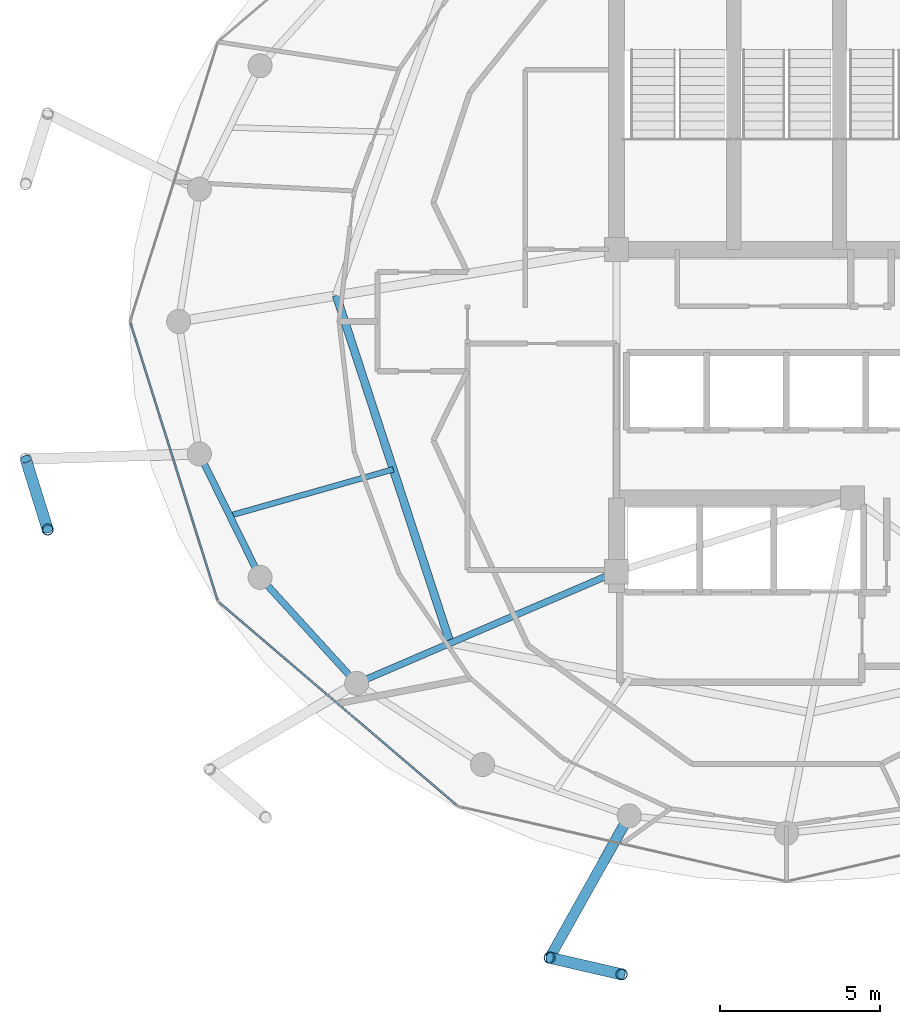
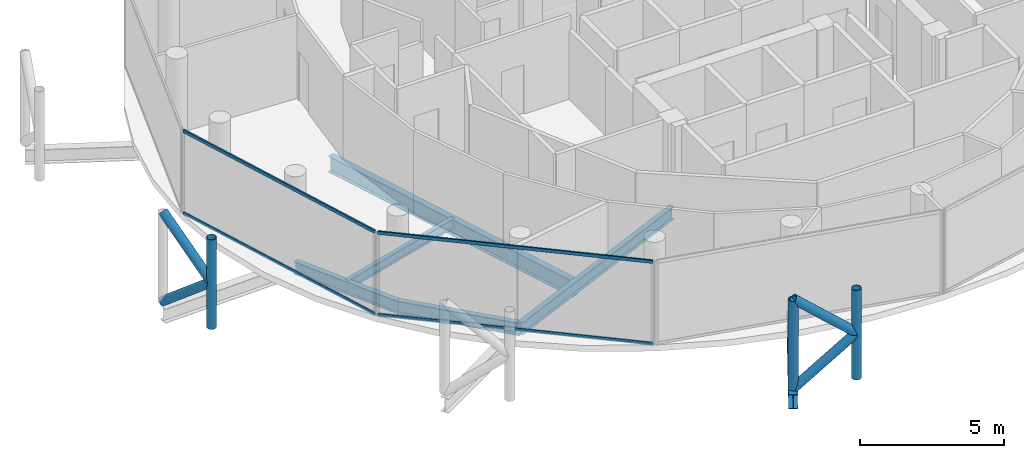
# One storey, part 3 of 24: 11 members, 6 beams, 2 elements without a shape of their own.
"""IFC4 building model written with IfcOpenShell, lengths in metres."""

from ifc_helpers import new_model, si_unit, direction, frame, origin, origin_2d, place, context, subcontext, project, spatial, hollow_rectangle, hollow_circle, i_section, extrude, material, layer, layer_set, material_profile, profile_set, type_object, element, aggregate, save


model = new_model("IFC4")

# Units and contexts
model_context = context("Model", 3, precision=1e-05, world=origin(), true_north=direction((0.0, 1.0)))
body_context = subcontext(model_context, "Body", "Model", "MODEL_VIEW")
ifc_project = project(units=[si_unit("LENGTHUNIT", "METRE"), si_unit("AREAUNIT", "SQUARE_METRE"), si_unit("VOLUMEUNIT", "CUBIC_METRE"), si_unit("PLANEANGLEUNIT", "RADIAN"), si_unit("MASSUNIT", "GRAM", prefix="KILO")], contexts=[model_context])

# Site, building, storey
site_placement = place(None, origin())
site = spatial("IfcSite", under=ifc_project, at=site_placement, CompositionType="ELEMENT")
building_placement = place(site_placement, origin())
building = spatial("IfcBuilding", under=site, at=building_placement, Name="Nuhasar Tower", CompositionType="ELEMENT")
storey_placement = place(building_placement, frame((0.0, 0.0, 286.0)))
storey = spatial("IfcBuildingStorey", under=building, at=storey_placement, Name="L71", CompositionType="ELEMENT", Elevation=286.0)

# Beams
ifc_material_1 = material(Name="Steel S355", Category="steel")
ifc_material_profile_1 = material_profile(ifc_material_1, i_section(OverallWidth=0.25390625, OverallDepth=0.68408203125, WebThickness=0.012451171875, FlangeThickness=0.018798828125, at=origin_2d()), Name="W27X94")
ifc_profile_set_1 = profile_set([ifc_material_profile_1], Name="Steel S355")
beam_type_1 = type_object("IfcBeamType", Name="BM-INRING-W27X94", PredefinedType="BEAM", material=ifc_profile_set_1)
beam_1_placement = place(storey_placement, frame((24.964111328125, 27.610107421875, -0.60205078125), z_axis=(0.311483801376, -0.950251462235, 0.0), x_axis=(0.950251462235, 0.311483801376, 0.0)))
element("IfcBeam", 1, at=beam_1_placement, inside=storey, type_object=beam_type_1, Name="L71 Inner Header Beam 08", PredefinedType="BEAM", context=body_context, shape_type="SweptSolid", body=[
    extrude(i_section(OverallWidth=0.25390625, OverallDepth=0.68408203125, WebThickness=0.012451171875, FlangeThickness=0.018798828125, at=origin_2d()), origin(), (0.0, 0.0, 1.0), 11.403564453125),
])
ifc_material_profile_2 = material_profile(ifc_material_1, i_section(OverallWidth=0.177978515625, OverallDepth=0.406005859375, WebThickness=0.0078125, FlangeThickness=0.0126953125, at=origin_2d()), Name="W16X40")
ifc_profile_set_2 = profile_set([ifc_material_profile_2], Name="Steel S355")
beam_type_2 = type_object("IfcBeamType", Name="BM-JST-W16X40", PredefinedType="JOIST", material=ifc_profile_set_2)
beam_2_placement = place(storey_placement, frame((26.739990234375, 22.19189453125, -0.462890625), z_axis=(-0.962154316042, -0.272505178156, 0.0), x_axis=(0.272505178156, -0.962154316042, 0.0)))
element("IfcBeam", 2, at=beam_2_placement, inside=storey, type_object=beam_type_2, Name="L71 Secondary Floor Joist 08", PredefinedType="JOIST", context=body_context, shape_type="SweptSolid", body=[
    extrude(i_section(OverallWidth=0.177978515625, OverallDepth=0.406005859375, WebThickness=0.0078125, FlangeThickness=0.0126953125, at=origin_2d()), origin(), (0.0, 0.0, 1.0), 5.29833984375),
])
ifc_material_profile_3 = material_profile(ifc_material_1, i_section(OverallWidth=0.208984375, OverallDepth=0.528076171875, WebThickness=0.009521484375, FlangeThickness=0.01318359375, at=origin_2d()), Name="W21X55")
ifc_profile_set_3 = profile_set([ifc_material_profile_3], Name="Steel S355")
beam_type_3 = type_object("IfcBeamType", Name="BM-RAD-W21X55", PredefinedType="BEAM", material=ifc_profile_set_3)
beam_3_placement = place(storey_placement, frame((33.699951171875, 19.0, -0.52392578125), z_axis=(-0.91887119061, -0.394557644797, 0.0), x_axis=(0.394557644797, -0.91887119061, 0.0)))
element("IfcBeam", 3, at=beam_3_placement, inside=storey, type_object=beam_type_3, Name="L71 Radial Floor Girder 01", PredefinedType="BEAM", context=body_context, shape_type="SweptSolid", body=[
    extrude(i_section(OverallWidth=0.208984375, OverallDepth=0.528076171875, WebThickness=0.009521484375, FlangeThickness=0.01318359375, at=origin_2d()), origin(), (0.0, 0.0, 1.0), 8.81494140625),
])
ifc_material_profile_4 = material_profile(ifc_material_1, i_section(OverallWidth=0.2099609375, OverallDepth=0.537109375, WebThickness=0.010986328125, FlangeThickness=0.017333984375, at=origin_2d()), Name="W21X68")
ifc_profile_set_4 = profile_set([ifc_material_profile_4], Name="Steel S355")
beam_type_4 = type_object("IfcBeamType", Name="BM-RING-W21X68", PredefinedType="SPANDREL", material=ifc_profile_set_4)
beam_4_placement = place(storey_placement, frame((20.696044921875, 22.672119140625, -0.529052734375), z_axis=(0.441510561726, -0.897256052576, 0.0), x_axis=(0.897256052576, 0.441510561726, 0.0)))
element("IfcBeam", 4, at=beam_4_placement, inside=storey, type_object=beam_type_4, Name="L71 Perimeter Ring Spandrel 14", PredefinedType="SPANDREL", context=body_context, shape_type="SweptSolid", body=[
    extrude(i_section(OverallWidth=0.2099609375, OverallDepth=0.537109375, WebThickness=0.010986328125, FlangeThickness=0.017333984375, at=origin_2d()), origin(), (0.0, 0.0, 1.0), 4.28759765625),
])
beam_5_placement = place(storey_placement, frame((22.589111328125, 18.824951171875, -0.529052734375), z_axis=(0.673686302939, -0.739017432293, 0.0), x_axis=(0.739017432293, 0.673686302939, 0.0)))
element("IfcBeam", 5, at=beam_5_placement, inside=storey, type_object=beam_type_4, Name="L71 Perimeter Ring Spandrel 15", PredefinedType="SPANDREL", context=body_context, shape_type="SweptSolid", body=[
    extrude(i_section(OverallWidth=0.2099609375, OverallDepth=0.537109375, WebThickness=0.010986328125, FlangeThickness=0.017333984375, at=origin_2d()), origin(), (0.0, 0.0, 1.0), 4.469482421875),
])
ifc_material_profile_5 = material_profile(ifc_material_1, i_section(OverallWidth=0.323974609375, OverallDepth=0.611083984375, WebThickness=0.0126953125, FlangeThickness=0.01904296875, at=origin_2d()), Name="W24X104")
ifc_profile_set_5 = profile_set([ifc_material_profile_5], Name="Steel S355")
beam_type_5 = type_object("IfcBeamType", Name="BM-TIE-W24X104", PredefinedType="BEAM", material=ifc_profile_set_5)
beam_6_placement = place(storey_placement, frame((34.094970703125, 11.39306640625, -0.56494140625), z_axis=(-0.488667847762, -0.872469904675, 0.0), x_axis=(0.872469904675, -0.488667847762, 0.0)))
element("IfcBeam", 6, at=beam_6_placement, inside=storey, type_object=beam_type_5, Name="L71 Exoskeleton Node Tie Beam 09", PredefinedType="BEAM", context=body_context, shape_type="SweptSolid", body=[
    extrude(i_section(OverallWidth=0.323974609375, OverallDepth=0.611083984375, WebThickness=0.0126953125, FlangeThickness=0.01904296875, at=origin_2d()), origin(), (0.0, 0.0, 1.0), 5.072998046875),
])

# Curtain wall, members
ifc_material_2 = material(Name="Aluminium 6063-T6", Category="aluminium")
ifc_layer = layer(ifc_material_2, 0.18994140625)
ifc_layer_set = layer_set([ifc_layer], Name="Aluminium 6063-T6")
curtain_wall_type = type_object("IfcCurtainWallType", Name="CW-Z4-PEN", PredefinedType="NOTDEFINED", material=ifc_layer_set)
curtain_wall_1_placement = place(storey_placement, origin())
curtain_wall_1 = element("IfcCurtainWall", 7, at=curtain_wall_1_placement, inside=storey, type_object=curtain_wall_type, Name="L71 Unitised Curtain Wall 07", PredefinedType="NOTDEFINED")
ifc_material_profile_6 = material_profile(ifc_material_2, hollow_rectangle(XDim=0.06005859375, YDim=0.135009765625, WallThickness=0.00439453125, at=origin_2d()), Name="CWT-5")
ifc_profile_set_6 = profile_set([ifc_material_profile_6], Name="Aluminium 6063-T6")
member_type_1 = type_object("IfcMemberType", Name="CW-TRN-S5", PredefinedType="USERDEFINED", material=ifc_profile_set_6)
member_1_placement = place(storey_placement, frame((18.557861328125, 26.74267578125, 0.030029296875), z_axis=(0.29956014073, -0.954077419335, 0.0), x_axis=(0.954077419335, 0.29956014073, 0.0)))
member_1 = element("IfcMember", 8, at=member_1_placement, type_object=member_type_1, Name="CW-Z4 transom 1.1", ObjectType="TRANSOM", PredefinedType="USERDEFINED", context=body_context, shape_type="SweptSolid", body=[
    extrude(hollow_rectangle(XDim=0.06005859375, YDim=0.135009765625, WallThickness=0.00439453125, at=origin_2d()), origin(), (0.0, 0.0, 1.0), 9.0302734375),
])
member_2_placement = place(storey_placement, frame((18.557861328125, 26.74267578125, 3.510009765625), z_axis=(0.29956014073, -0.954077419335, 0.0), x_axis=(0.954077419335, 0.29956014073, 0.0)))
member_2 = element("IfcMember", 9, at=member_2_placement, type_object=member_type_1, Name="CW-Z4 transom 1.2", ObjectType="TRANSOM", PredefinedType="USERDEFINED", context=body_context, shape_type="SweptSolid", body=[
    extrude(hollow_rectangle(XDim=0.06005859375, YDim=0.135009765625, WallThickness=0.00439453125, at=origin_2d()), origin(), (0.0, 0.0, 1.0), 9.0302734375),
])
aggregate(curtain_wall_1, [member_1, member_2])

curtain_wall_2_placement = place(storey_placement, origin())
curtain_wall_2 = element("IfcCurtainWall", 10, at=curtain_wall_2_placement, inside=storey, type_object=curtain_wall_type, Name="L71 Unitised Curtain Wall 08", PredefinedType="NOTDEFINED")
member_3_placement = place(storey_placement, frame((21.32666015625, 18.031005859375, 0.030029296875), z_axis=(0.760672431431, -0.649135927261, 0.0), x_axis=(0.649135927261, 0.760672431431, 0.0)))
member_3 = element("IfcMember", 11, at=member_3_placement, type_object=member_type_1, Name="CW-Z4 transom 1.1", ObjectType="TRANSOM", PredefinedType="USERDEFINED", context=body_context, shape_type="SweptSolid", body=[
    extrude(hollow_rectangle(XDim=0.06005859375, YDim=0.135009765625, WallThickness=0.00439453125, at=origin_2d()), origin(), (0.0, 0.0, 1.0), 9.72509765625),
])
member_4_placement = place(storey_placement, frame((21.32666015625, 18.031005859375, 3.510009765625), z_axis=(0.760672431431, -0.649135927261, 0.0), x_axis=(0.649135927261, 0.760672431431, 0.0)))
member_4 = element("IfcMember", 12, at=member_4_placement, type_object=member_type_1, Name="CW-Z4 transom 1.2", ObjectType="TRANSOM", PredefinedType="USERDEFINED", context=body_context, shape_type="SweptSolid", body=[
    extrude(hollow_rectangle(XDim=0.06005859375, YDim=0.135009765625, WallThickness=0.00439453125, at=origin_2d()), origin(), (0.0, 0.0, 1.0), 9.72509765625),
])
aggregate(curtain_wall_2, [member_3, member_4])

# Members
ifc_material_3 = material(Name="Steel S460", Category="steel")
ifc_material_profile_7 = material_profile(ifc_material_3, hollow_circle(Radius=0.177734375, WallThickness=0.015869140625, at=origin_2d()), Name="HSS355.6X15.9")
ifc_profile_set_7 = profile_set([ifc_material_profile_7], Name="Steel S460")
member_type_2 = type_object("IfcMemberType", Name="EXO-BRONZE-356", PredefinedType="BRACE", material=ifc_profile_set_7)
for number, where, z_axis, x_axis, name in (
    (13, (15.967041015625, 20.319091796875, 0.0), (0.0, 0.0, 1.0), (1.0, 0.0, 0.0), "L71 Exoskeleton Chord Column EC-07B"),
    (14, (31.615966796875, 6.967041015625, 0.0), (0.0, 0.0, 1.0), (1.0, 0.0, 0.0), "L71 Exoskeleton Chord Column EC-09A"),
    (15, (33.85693359375, 6.450927734375, 0.0), (0.0, 0.0, 1.0), (1.0, 0.0, 0.0), "L71 Exoskeleton Chord Column EC-09B"),
):
    element("IfcMember", number, at=place(storey_placement, frame(where, z_axis=z_axis, x_axis=x_axis)), inside=storey, type_object=member_type_2, Name=name, PredefinedType="BRACE", context=body_context, shape_type="SweptSolid", body=[
        extrude(hollow_circle(Radius=0.177734375, WallThickness=0.015869140625, at=origin_2d()), origin(), (0.0, 0.0, 1.0), 3.800048828125),
    ])
member_5_placement = place(storey_placement, frame((15.281982421875, 22.513916015625, 0.0), z_axis=(0.229681361446, -0.735864376122, 0.636985158507), x_axis=(0.954581948223, 0.297948492404, 0.0)))
element("IfcMember", 16, at=member_5_placement, inside=storey, type_object=member_type_2, Name="L71 Bronze Diagrid Brace W1-07", PredefinedType="BRACE", context=body_context, shape_type="SweptSolid", body=[
    extrude(hollow_circle(Radius=0.177734375, WallThickness=0.015869140625, at=origin_2d()), origin(), (0.0, 0.0, 1.0), 2.982666015625),
])
for number, where, z_axis, x_axis, name in (
    (17, (15.967041015625, 20.319091796875, 1.89990234375), (-0.229669386127, 0.73582600901, 0.637033796232), (-0.954581948223, -0.297948492404, 0.0), "L71 Bronze Diagrid Brace W2-07"),
    (18, (31.615966796875, 6.967041015625, 0.0), (0.751260978137, -0.173021648086, 0.636922642103), (0.224433035437, 0.97448951385, 0.0), "L71 Bronze Diagrid Brace W1-09"),
):
    element("IfcMember", number, at=place(storey_placement, frame(where, z_axis=z_axis, x_axis=x_axis)), inside=storey, type_object=member_type_2, Name=name, PredefinedType="BRACE", context=body_context, shape_type="SweptSolid", body=[
        extrude(hollow_circle(Radius=0.177734375, WallThickness=0.015869140625, at=origin_2d()), origin(), (0.0, 0.0, 1.0), 2.98291015625),
    ])
member_6_placement = place(storey_placement, frame((33.85693359375, 6.450927734375, 1.89990234375), z_axis=(-0.751221815951, 0.173012628709, 0.636971281571), x_axis=(-0.224433035437, -0.97448951385, 0.0)))
element("IfcMember", 19, at=member_6_placement, inside=storey, type_object=member_type_2, Name="L71 Bronze Diagrid Brace W2-09", PredefinedType="BRACE", context=body_context, shape_type="SweptSolid", body=[
    extrude(hollow_circle(Radius=0.177734375, WallThickness=0.015869140625, at=origin_2d()), origin(), (0.0, 0.0, 1.0), 2.983154296875),
])

save(model, "model.ifc")
